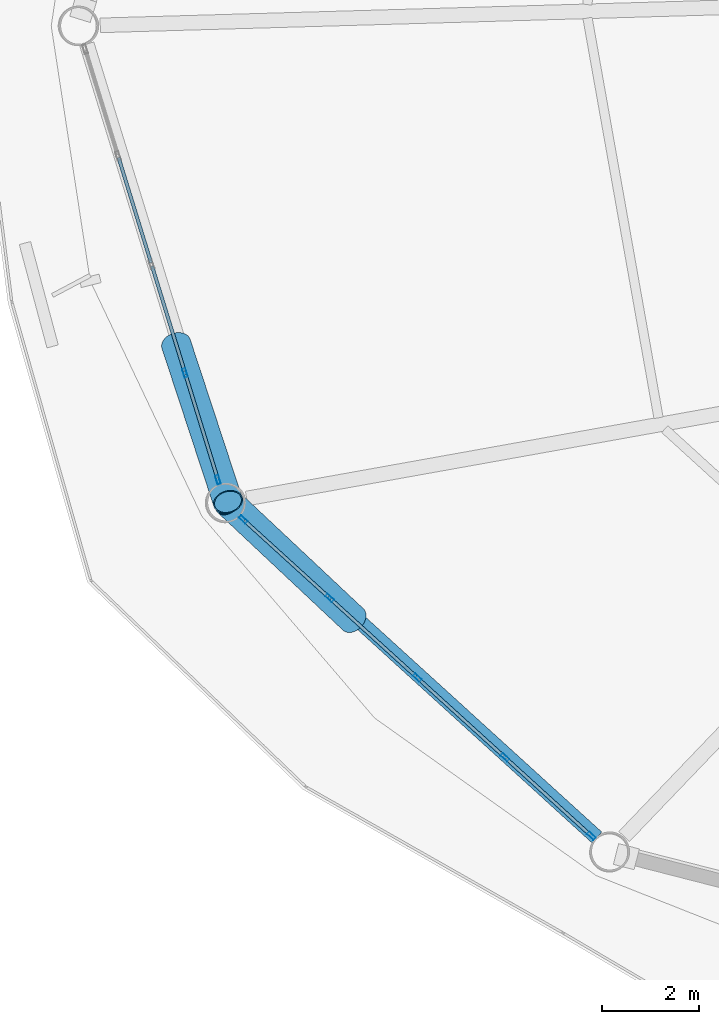
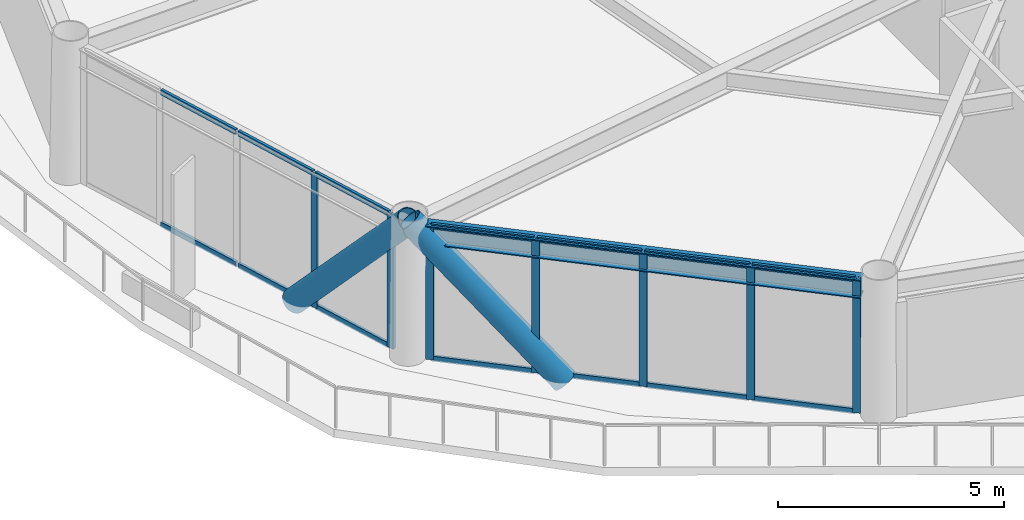
# One storey, part 2 of 26: 23 members, 1 beam, 2 elements without a shape of their own.
"""IFC4 building model written with IfcOpenShell, lengths in metres."""

import ifcopenshell
import ifcopenshell.guid

model = None  # the IFC model being written
_history = None  # IfcOwnerHistory: only IFC2X3 demands one
_inside = {}  # id of a spatial element -> (the spatial element, [elements in it])
_under = {}  # id of a project, library or spatial element -> (it, [spatial elements below it])
_declared = {}  # id of a project -> (the project, [libraries it declares])
_typed = {}  # id of a type object -> (the type object, [elements of that type])
_made_of = {}  # id of a material, layer set ... -> (it, [elements and type objects made of it])


def new_model(schema):
    """Start an empty IFC model of exactly this schema.

    Asked for "IFC4X3", IfcOpenShell would pick the latest addendum, in which some entities
    have other attributes; the version numbers below select the first issue.
    IFC2X3 requires an IfcOwnerHistory on every rooted entity: one is made here for all.
    """
    global model, _history
    if schema == "IFC4X3":
        model = ifcopenshell.file(schema_version=(4, 3, 0, 0))
    else:
        model = ifcopenshell.file(schema=schema)
    _inside.clear()
    _under.clear()
    _declared.clear()
    _typed.clear()
    _made_of.clear()
    _history = None
    if model.schema == "IFC2X3":
        org = make("IfcOrganization", Name="unknown")
        user = make(
            "IfcPersonAndOrganization",
            ThePerson=make("IfcPerson", FamilyName="unknown"),
            TheOrganization=org,
        )
        app = make(
            "IfcApplication",
            ApplicationDeveloper=org,
            Version="unknown",
            ApplicationFullName="unknown",
            ApplicationIdentifier="unknown",
        )
        _history = make(
            "IfcOwnerHistory",
            OwningUser=user,
            OwningApplication=app,
            ChangeAction="ADDED",
            CreationDate=0,
        )
    return model


def make(cls, **values):
    """One entity of the class cls with the attributes given. An attribute that is None is left unset."""
    return model.create_entity(
        cls, **{name: value for name, value in values.items() if value is not None}
    )


def rooted(cls, **values):
    """An entity with a GlobalId (a new one), such as an element, a storey or a relation."""
    return make(cls, GlobalId=ifcopenshell.guid.new(), OwnerHistory=_history, **values)


def si_unit(unit_type, name, prefix=None):
    """IfcSIUnit, for example si_unit("LENGTHUNIT", "METRE", prefix="MILLI")."""
    return make("IfcSIUnit", UnitType=unit_type, Prefix=prefix, Name=name)


def assignment(units):
    """IfcUnitAssignment: the units of a project."""
    return None if units is None else make("IfcUnitAssignment", Units=units)


def point(xyz):
    """IfcCartesianPoint."""
    return None if xyz is None else make("IfcCartesianPoint", Coordinates=xyz)


def direction(xyz):
    """IfcDirection."""
    return None if xyz is None else make("IfcDirection", DirectionRatios=xyz)


def frame(location, z_axis=None, x_axis=None):
    """IfcAxis2Placement3D, a coordinate frame: its origin and axes. An axis left out is left unset."""
    return make(
        "IfcAxis2Placement3D",
        Location=point(location),
        Axis=direction(z_axis),
        RefDirection=direction(x_axis),
    )


def frame_2d(location, x_axis=None):
    """IfcAxis2Placement2D, a coordinate frame in the plane: its origin and x axis."""
    return make(
        "IfcAxis2Placement2D", Location=point(location), RefDirection=direction(x_axis)
    )


def origin():
    """The frame at (0, 0, 0) with its axes left unset."""
    return frame((0.0, 0.0, 0.0))


def origin_2d():
    """The frame at (0, 0) in the plane with its x axis left unset."""
    return frame_2d((0.0, 0.0))


def place(relative_to, where):
    """IfcLocalPlacement: puts the frame where relative to a parent placement (None: the world)."""
    return make(
        "IfcLocalPlacement", PlacementRelTo=relative_to, RelativePlacement=where
    )


def context(
    kind, dimensions, precision=None, world=None, true_north=None, identifier=None
):
    """IfcGeometricRepresentationContext, for example the 3D "Model" context."""
    return make(
        "IfcGeometricRepresentationContext",
        ContextIdentifier=identifier,
        ContextType=kind,
        CoordinateSpaceDimension=dimensions,
        Precision=precision,
        WorldCoordinateSystem=world,
        TrueNorth=true_north,
    )


def subcontext(parent, identifier, kind, view, scale=None):
    """IfcGeometricRepresentationSubContext, for example "Body" below "Model"."""
    return make(
        "IfcGeometricRepresentationSubContext",
        ContextIdentifier=identifier,
        ContextType=kind,
        ParentContext=parent,
        TargetScale=scale,
        TargetView=view,
    )


def project(units=None, contexts=None):
    """IfcProject with its units and contexts."""
    return rooted(
        "IfcProject",
        Name="project",
        RepresentationContexts=contexts,
        UnitsInContext=assignment(units),
    )


def spatial(cls, under=None, at=None, **own):
    """A site, building, storey or space (cls), placed at a placement, below another one or the project."""
    s = rooted(cls, ObjectPlacement=at, **own)
    if under is not None:
        _under.setdefault(under.id(), (under, []))[1].append(s)
    return s


def profile(cls, at=None, kind="AREA", **sizes):
    """A parametric profile (cls). Its sizes go by their IFC names, for example OverallWidth=200.0."""
    return make(cls, ProfileType=kind, Position=at, **sizes)


def hollow_rectangle(**sizes):
    """IfcRectangleHollowProfileDef."""
    return profile("IfcRectangleHollowProfileDef", **sizes)


def hollow_circle(**sizes):
    """IfcCircleHollowProfileDef."""
    return profile("IfcCircleHollowProfileDef", **sizes)


def i_section(**sizes):
    """IfcIShapeProfileDef."""
    return profile("IfcIShapeProfileDef", **sizes)


def extrude(swept, where, along, depth):
    """IfcExtrudedAreaSolid: the profile swept, set in the frame where, extruded along a direction by depth."""
    return make(
        "IfcExtrudedAreaSolid",
        SweptArea=swept,
        Position=where,
        ExtrudedDirection=direction(along),
        Depth=depth,
    )


def shape(context_of_items, identifier, shape_type, items):
    """IfcShapeRepresentation: the items that make up one representation, for example the "Body"."""
    return make(
        "IfcShapeRepresentation",
        ContextOfItems=context_of_items,
        RepresentationIdentifier=identifier,
        RepresentationType=shape_type,
        Items=items,
    )


def material(Name=None, Category=None):
    """IfcMaterial."""
    return make("IfcMaterial", Name=Name, Category=Category)


def layer(
    of_material, thickness, ventilated=None, Name=None, Category=None, Priority=None
):
    """IfcMaterialLayer: one layer of a wall or slab, of a material (None: an air gap)."""
    return make(
        "IfcMaterialLayer",
        Material=of_material,
        LayerThickness=thickness,
        IsVentilated=ventilated,
        Name=Name,
        Category=Category,
        Priority=Priority,
    )


def layer_set(layers, Name=None):
    """IfcMaterialLayerSet."""
    return make("IfcMaterialLayerSet", MaterialLayers=layers, LayerSetName=Name)


def material_profile(
    of_material, cross_section, Name=None, Category=None, Priority=None
):
    """IfcMaterialProfile: a cross section and its material."""
    return make(
        "IfcMaterialProfile",
        Name=Name,
        Material=of_material,
        Profile=cross_section,
        Priority=Priority,
        Category=Category,
    )


def profile_set(profiles, Name=None, composite=None):
    """IfcMaterialProfileSet."""
    return make(
        "IfcMaterialProfileSet",
        Name=Name,
        MaterialProfiles=profiles,
        CompositeProfile=composite,
    )


def made_of(thing, what):
    """Note that an element or type object is made of a material, layer set ...; save() writes the relation."""
    if what is not None:
        _made_of.setdefault(what.id(), (what, []))[1].append(thing)
    return thing


def type_object(cls, material=None, **own):
    """A type object (cls), such as IfcWallType, which elements share."""
    return made_of(rooted(cls, **own), material)


def element(
    cls,
    number,
    at=None,
    inside=None,
    cuts=None,
    type_object=None,
    material=None,
    context=None,
    identifier="Body",
    shape_type=None,
    held_by="IfcProductDefinitionShape",
    body=None,
    shapes=None,
    **own,
):
    """One element of the class cls, such as IfcWall. Its Tag is "e" and its number.

    at: its placement. inside: the storey or other place that contains it. cuts: it is an
    opening in that element (IfcRelVoidsElement). A single representation is given by context,
    identifier, shape_type and body (its items); several are given by shapes. held_by: the class
    of the entity that holds the representations. save() writes the other relations.
    """
    e = rooted(cls, Tag="e%d" % number, ObjectPlacement=at, **own)
    if body is not None:
        shapes = [shape(context, identifier, shape_type, body)]
    if shapes is not None:
        e.Representation = make(held_by, Representations=shapes)
    if inside is not None:
        _inside.setdefault(inside.id(), (inside, []))[1].append(e)
    if cuts is not None:
        rooted(
            "IfcRelVoidsElement", RelatingBuildingElement=cuts, RelatedOpeningElement=e
        )
    if type_object is not None:
        _typed.setdefault(type_object.id(), (type_object, []))[1].append(e)
    return made_of(e, material)


def aggregate(whole, parts):
    """IfcRelAggregates: a whole, such as a stair, and the parts it consists of."""
    return rooted("IfcRelAggregates", RelatingObject=whole, RelatedObjects=parts)


def save(model, path):
    """Write the relations noted so far, then the file.

    IfcRelAggregates (storeys below a building ...), IfcRelContainedInSpatialStructure (elements
    in a storey), IfcRelDefinesByType, IfcRelAssociatesMaterial and IfcRelDeclares: one each for
    every whole, place, type object, material and project.
    """
    for whole, parts in _under.values():
        aggregate(whole, parts)
    for where, things in _inside.values():
        rooted(
            "IfcRelContainedInSpatialStructure",
            RelatedElements=things,
            RelatingStructure=where,
        )
    for kind, things in _typed.values():
        rooted("IfcRelDefinesByType", RelatedObjects=things, RelatingType=kind)
    for what, things in _made_of.values():
        rooted("IfcRelAssociatesMaterial", RelatedObjects=things, RelatingMaterial=what)
    for by, libraries in _declared.values():
        rooted("IfcRelDeclares", RelatingContext=by, RelatedDefinitions=libraries)
    model.write(path)


model = new_model("IFC4")

# Units and contexts
model_context = context("Model", 3, precision=1e-05, world=origin(), true_north=direction((0.0, 1.0)))
body_context = subcontext(model_context, "Body", "Model", "MODEL_VIEW")
ifc_project = project(units=[si_unit("LENGTHUNIT", "METRE"), si_unit("AREAUNIT", "SQUARE_METRE"), si_unit("VOLUMEUNIT", "CUBIC_METRE"), si_unit("PLANEANGLEUNIT", "RADIAN"), si_unit("MASSUNIT", "GRAM", prefix="KILO")], contexts=[model_context])

# Site, building, storey
site_placement = place(None, origin())
site = spatial("IfcSite", under=ifc_project, at=site_placement, CompositionType="ELEMENT")
building_placement = place(site_placement, origin())
building = spatial("IfcBuilding", under=site, at=building_placement, Name="Varnakorn Sky Granary", CompositionType="ELEMENT")
storey_placement = place(building_placement, frame((0.0, 0.0, 95.39990234375)))
storey = spatial("IfcBuildingStorey", under=building, at=storey_placement, Name="L23", CompositionType="ELEMENT", Elevation=95.39990234375)

# Beam
ifc_material_1 = material(Name="Steel S355JR", Category="steel")
ifc_material_profile_1 = material_profile(ifc_material_1, i_section(OverallWidth=0.300048828125, OverallDepth=0.5, WebThickness=0.014404296875, FlangeThickness=0.028076171875, at=origin_2d()), Name="HE 500 B")
ifc_profile_set_1 = profile_set([ifc_material_profile_1], Name="Steel S355JR")
beam_type = type_object("IfcBeamType", Name="BM-SPD-Z2", PredefinedType="SPANDREL", material=ifc_profile_set_1)
beam_placement = place(storey_placement, frame((-19.843017578125, -10.04931640625, 3.39013671875), z_axis=(0.739721624691, -0.67291300921, 0.0), x_axis=(0.67291300921, 0.739721624691, 0.0)))
element("IfcBeam", 1, at=beam_placement, inside=storey, type_object=beam_type, Name="Perimeter Spandrel Ring Beam RB08 L23", PredefinedType="SPANDREL", context=body_context, shape_type="SweptSolid", body=[
    extrude(i_section(OverallWidth=0.300048828125, OverallDepth=0.5, WebThickness=0.014404296875, FlangeThickness=0.028076171875, at=origin_2d()), origin(), (0.0, 0.0, 1.0), 9.863037109375),
])

# Curtain wall, members
ifc_material_2 = material(Name="Anodised Bronze Aluminium Alloy 6063-T6", Category="aluminium")
ifc_layer = layer(ifc_material_2, 0.18994140625, Name="Anodised Bronze Aluminium Alloy 6063-T6")
ifc_layer_set = layer_set([ifc_layer], Name="Anodised Bronze Aluminium Alloy 6063-T6")
curtain_wall_type = type_object("IfcCurtainWallType", Name="CW-FRM-1", PredefinedType="USERDEFINED", material=ifc_layer_set)
curtain_wall_1_placement = place(storey_placement, origin())
curtain_wall_1 = element("IfcCurtainWall", 2, at=curtain_wall_1_placement, inside=storey, type_object=curtain_wall_type, Name="Unitised Curtain Wall CW3 CW-L23-B07", ObjectType="CURTAIN WALL", PredefinedType="USERDEFINED")
ifc_material_profile_2 = material_profile(ifc_material_2, hollow_rectangle(XDim=0.070068359375, YDim=0.18505859375, WallThickness=0.00390625, at=origin_2d()), Name="ALU MULL 70x185")
ifc_profile_set_2 = profile_set([ifc_material_profile_2], Name="Anodised Bronze Aluminium Alloy 6063-T6")
member_type_1 = type_object("IfcMemberType", Name="CW-FRM-1-MULL", PredefinedType="MULLION", material=ifc_profile_set_2)
member_1_placement = place(storey_placement, frame((-20.33837890625, -9.330810546875, 0.0), z_axis=(0.0, 0.0, 1.0), x_axis=(-0.955559588917, -0.294798019037, 0.0)))
member_1 = element("IfcMember", 3, at=member_1_placement, type_object=member_type_1, Name="CW3 mullion 1", PredefinedType="MULLION", context=body_context, shape_type="SweptSolid", body=[
    extrude(hollow_rectangle(XDim=0.070068359375, YDim=0.18505859375, WallThickness=0.00390625, at=origin_2d()), origin(), (0.0, 0.0, 1.0), 3.64013671875),
])
member_2_placement = place(storey_placement, frame((-21.015869140625, -7.134521484375, 0.0), z_axis=(0.0, 0.0, 1.0), x_axis=(-0.955559588917, -0.294798019037, 0.0)))
member_2 = element("IfcMember", 4, at=member_2_placement, type_object=member_type_1, Name="CW3 mullion 2", PredefinedType="MULLION", context=body_context, shape_type="SweptSolid", body=[
    extrude(hollow_rectangle(XDim=0.070068359375, YDim=0.18505859375, WallThickness=0.00390625, at=origin_2d()), origin(), (0.0, 0.0, 1.0), 3.64013671875),
])

curtain_wall_2_placement = place(storey_placement, origin())
curtain_wall_2 = element("IfcCurtainWall", 5, at=curtain_wall_2_placement, inside=storey, type_object=curtain_wall_type, Name="Unitised Curtain Wall CW3 CW-L23-B08", ObjectType="CURTAIN WALL", PredefinedType="USERDEFINED")
member_3_placement = place(storey_placement, frame((-12.662109375, -16.654052734375, 0.0), z_axis=(0.0, 0.0, 1.0), x_axis=(-0.67267177226, -0.739941002246, 0.0)))
member_3 = element("IfcMember", 6, at=member_3_placement, type_object=member_type_1, Name="CW3 mullion 1", PredefinedType="MULLION", context=body_context, shape_type="SweptSolid", body=[
    extrude(hollow_rectangle(XDim=0.070068359375, YDim=0.18505859375, WallThickness=0.00390625, at=origin_2d()), origin(), (0.0, 0.0, 1.0), 3.64013671875),
])
member_4_placement = place(storey_placement, frame((-14.4384765625, -15.0390625, 0.0), z_axis=(0.0, 0.0, 1.0), x_axis=(-0.67267177226, -0.739941002246, 0.0)))
member_4 = element("IfcMember", 7, at=member_4_placement, type_object=member_type_1, Name="CW3 mullion 2", PredefinedType="MULLION", context=body_context, shape_type="SweptSolid", body=[
    extrude(hollow_rectangle(XDim=0.070068359375, YDim=0.18505859375, WallThickness=0.00390625, at=origin_2d()), origin(), (0.0, 0.0, 1.0), 3.64013671875),
])
member_5_placement = place(storey_placement, frame((-16.24072265625, -13.400634765625, 0.0), z_axis=(0.0, 0.0, 1.0), x_axis=(-0.67267177226, -0.739941002246, 0.0)))
member_5 = element("IfcMember", 8, at=member_5_placement, type_object=member_type_1, Name="CW3 mullion 3", PredefinedType="MULLION", context=body_context, shape_type="SweptSolid", body=[
    extrude(hollow_rectangle(XDim=0.070068359375, YDim=0.18505859375, WallThickness=0.00390625, at=origin_2d()), origin(), (0.0, 0.0, 1.0), 3.64013671875),
])
member_6_placement = place(storey_placement, frame((-18.043212890625, -11.76220703125, 0.0), z_axis=(0.0, 0.0, 1.0), x_axis=(-0.67267177226, -0.739941002246, 0.0)))
member_6 = element("IfcMember", 9, at=member_6_placement, type_object=member_type_1, Name="CW3 mullion 4", PredefinedType="MULLION", context=body_context, shape_type="SweptSolid", body=[
    extrude(hollow_rectangle(XDim=0.070068359375, YDim=0.18505859375, WallThickness=0.00390625, at=origin_2d()), origin(), (0.0, 0.0, 1.0), 3.64013671875),
])
member_7_placement = place(storey_placement, frame((-19.819580078125, -10.1474609375, 0.0), z_axis=(0.0, 0.0, 1.0), x_axis=(-0.67267177226, -0.739941002246, 0.0)))
member_7 = element("IfcMember", 10, at=member_7_placement, type_object=member_type_1, Name="CW3 mullion 5", PredefinedType="MULLION", context=body_context, shape_type="SweptSolid", body=[
    extrude(hollow_rectangle(XDim=0.070068359375, YDim=0.18505859375, WallThickness=0.00390625, at=origin_2d()), origin(), (0.0, 0.0, 1.0), 3.64013671875),
])

# Member
ifc_material_profile_3 = material_profile(ifc_material_2, hollow_rectangle(XDim=0.070068359375, YDim=0.139892578125, WallThickness=0.00341796875, at=origin_2d()), Name="ALU TRAN 70x140")
ifc_profile_set_3 = profile_set([ifc_material_profile_3], Name="Anodised Bronze Aluminium Alloy 6063-T6")
member_type_2 = type_object("IfcMemberType", Name="CW-FRM-1-TRAN", PredefinedType="USERDEFINED", material=ifc_profile_set_3)
member_8_placement = place(storey_placement, frame((-20.3486328125, -9.29736328125, 0.03515625), z_axis=(-0.294817127855, 0.95555369348, 0.0), x_axis=(-0.95555369348, -0.294817127855, 0.0)))
member_8 = element("IfcMember", 11, at=member_8_placement, type_object=member_type_2, Name="CW3 transom 1.1", ObjectType="TRANSOM", PredefinedType="USERDEFINED", context=body_context, shape_type="SweptSolid", body=[
    extrude(hollow_rectangle(XDim=0.070068359375, YDim=0.139892578125, WallThickness=0.00341796875, at=origin_2d()), origin(), (0.0, 0.0, 1.0), 2.228515625),
])

member_9_placement = place(storey_placement, frame((-20.3486328125, -9.29736328125, 3.60498046875), z_axis=(-0.294817127855, 0.95555369348, 0.0), x_axis=(-0.95555369348, -0.294817127855, 0.0)))
member_9 = element("IfcMember", 12, at=member_9_placement, type_object=member_type_2, Name="CW3 transom 1.2", ObjectType="TRANSOM", PredefinedType="USERDEFINED", context=body_context, shape_type="SweptSolid", body=[
    extrude(hollow_rectangle(XDim=0.070068359375, YDim=0.139892578125, WallThickness=0.00341796875, at=origin_2d()), origin(), (0.0, 0.0, 1.0), 2.228515625),
])

member_10_placement = place(storey_placement, frame((-21.0263671875, -7.10107421875, 0.03515625), z_axis=(-0.29482105785, 0.955552480949, 0.0), x_axis=(-0.955552480949, -0.29482105785, 0.0)))
member_10 = element("IfcMember", 13, at=member_10_placement, type_object=member_type_2, Name="CW3 transom 2.1", ObjectType="TRANSOM", PredefinedType="USERDEFINED", context=body_context, shape_type="SweptSolid", body=[
    extrude(hollow_rectangle(XDim=0.070068359375, YDim=0.139892578125, WallThickness=0.00341796875, at=origin_2d()), origin(), (0.0, 0.0, 1.0), 2.26318359375),
])

member_11_placement = place(storey_placement, frame((-21.0263671875, -7.10107421875, 3.60498046875), z_axis=(-0.29482105785, 0.955552480949, 0.0), x_axis=(-0.955552480949, -0.29482105785, 0.0)))
member_11 = element("IfcMember", 14, at=member_11_placement, type_object=member_type_2, Name="CW3 transom 2.2", ObjectType="TRANSOM", PredefinedType="USERDEFINED", context=body_context, shape_type="SweptSolid", body=[
    extrude(hollow_rectangle(XDim=0.070068359375, YDim=0.139892578125, WallThickness=0.00341796875, at=origin_2d()), origin(), (0.0, 0.0, 1.0), 2.26318359375),
])

member_12_placement = place(storey_placement, frame((-21.714111328125, -4.87158203125, 0.03515625), z_axis=(-0.294790670748, 0.955561855894, 0.0), x_axis=(-0.955561855894, -0.294790670748, 0.0)))
member_12 = element("IfcMember", 15, at=member_12_placement, type_object=member_type_2, Name="CW3 transom 3.1", ObjectType="TRANSOM", PredefinedType="USERDEFINED", context=body_context, shape_type="SweptSolid", body=[
    extrude(hollow_rectangle(XDim=0.070068359375, YDim=0.139892578125, WallThickness=0.00341796875, at=origin_2d()), origin(), (0.0, 0.0, 1.0), 2.263427734375),
])

member_13_placement = place(storey_placement, frame((-21.714111328125, -4.87158203125, 3.60498046875), z_axis=(-0.294790670748, 0.955561855894, 0.0), x_axis=(-0.955561855894, -0.294790670748, 0.0)))
member_13 = element("IfcMember", 16, at=member_13_placement, type_object=member_type_2, Name="CW3 transom 3.2", ObjectType="TRANSOM", PredefinedType="USERDEFINED", context=body_context, shape_type="SweptSolid", body=[
    extrude(hollow_rectangle(XDim=0.070068359375, YDim=0.139892578125, WallThickness=0.00341796875, at=origin_2d()), origin(), (0.0, 0.0, 1.0), 2.263427734375),
])

aggregate(curtain_wall_1, [member_1, member_2, member_8, member_9, member_10, member_11, member_12, member_13])

member_14_placement = place(storey_placement, frame((-12.68798828125, -16.630615234375, 0.03515625), z_axis=(-0.739930593984, 0.672683221201, 0.0), x_axis=(-0.672683221201, -0.739930593984, 0.0)))
member_14 = element("IfcMember", 17, at=member_14_placement, type_object=member_type_2, Name="CW3 transom 1.1", ObjectType="TRANSOM", PredefinedType="USERDEFINED", context=body_context, shape_type="SweptSolid", body=[
    extrude(hollow_rectangle(XDim=0.070068359375, YDim=0.139892578125, WallThickness=0.00341796875, at=origin_2d()), origin(), (0.0, 0.0, 1.0), 2.330810546875),
])

member_15_placement = place(storey_placement, frame((-12.68798828125, -16.630615234375, 3.60498046875), z_axis=(-0.739930593984, 0.672683221201, 0.0), x_axis=(-0.672683221201, -0.739930593984, 0.0)))
member_15 = element("IfcMember", 18, at=member_15_placement, type_object=member_type_2, Name="CW3 transom 1.2", ObjectType="TRANSOM", PredefinedType="USERDEFINED", context=body_context, shape_type="SweptSolid", body=[
    extrude(hollow_rectangle(XDim=0.070068359375, YDim=0.139892578125, WallThickness=0.00341796875, at=origin_2d()), origin(), (0.0, 0.0, 1.0), 2.330810546875),
])

member_16_placement = place(storey_placement, frame((-14.46435546875, -15.015625, 0.03515625), z_axis=(-0.739949412759, 0.672662520553, 0.0), x_axis=(-0.672662520553, -0.739949412759, 0.0)))
member_16 = element("IfcMember", 19, at=member_16_placement, type_object=member_type_2, Name="CW3 transom 2.1", ObjectType="TRANSOM", PredefinedType="USERDEFINED", context=body_context, shape_type="SweptSolid", body=[
    extrude(hollow_rectangle(XDim=0.070068359375, YDim=0.139892578125, WallThickness=0.00341796875, at=origin_2d()), origin(), (0.0, 0.0, 1.0), 2.36572265625),
])

member_17_placement = place(storey_placement, frame((-14.46435546875, -15.015625, 3.60498046875), z_axis=(-0.739949412759, 0.672662520553, 0.0), x_axis=(-0.672662520553, -0.739949412759, 0.0)))
member_17 = element("IfcMember", 20, at=member_17_placement, type_object=member_type_2, Name="CW3 transom 2.2", ObjectType="TRANSOM", PredefinedType="USERDEFINED", context=body_context, shape_type="SweptSolid", body=[
    extrude(hollow_rectangle(XDim=0.070068359375, YDim=0.139892578125, WallThickness=0.00341796875, at=origin_2d()), origin(), (0.0, 0.0, 1.0), 2.36572265625),
])

member_18_placement = place(storey_placement, frame((-16.2666015625, -13.377197265625, 0.03515625), z_axis=(-0.739949412759, 0.672662520553, 0.0), x_axis=(-0.672662520553, -0.739949412759, 0.0)))
member_18 = element("IfcMember", 21, at=member_18_placement, type_object=member_type_2, Name="CW3 transom 3.1", ObjectType="TRANSOM", PredefinedType="USERDEFINED", context=body_context, shape_type="SweptSolid", body=[
    extrude(hollow_rectangle(XDim=0.070068359375, YDim=0.139892578125, WallThickness=0.00341796875, at=origin_2d()), origin(), (0.0, 0.0, 1.0), 2.36572265625),
])

member_19_placement = place(storey_placement, frame((-16.2666015625, -13.377197265625, 3.60498046875), z_axis=(-0.739949412759, 0.672662520553, 0.0), x_axis=(-0.672662520553, -0.739949412759, 0.0)))
member_19 = element("IfcMember", 22, at=member_19_placement, type_object=member_type_2, Name="CW3 transom 3.2", ObjectType="TRANSOM", PredefinedType="USERDEFINED", context=body_context, shape_type="SweptSolid", body=[
    extrude(hollow_rectangle(XDim=0.070068359375, YDim=0.139892578125, WallThickness=0.00341796875, at=origin_2d()), origin(), (0.0, 0.0, 1.0), 2.36572265625),
])

member_20_placement = place(storey_placement, frame((-18.069091796875, -11.73876953125, 0.03515625), z_axis=(-0.739930593984, 0.672683221201, 0.0), x_axis=(-0.672683221201, -0.739930593984, 0.0)))
member_20 = element("IfcMember", 23, at=member_20_placement, type_object=member_type_2, Name="CW3 transom 4.1", ObjectType="TRANSOM", PredefinedType="USERDEFINED", context=body_context, shape_type="SweptSolid", body=[
    extrude(hollow_rectangle(XDim=0.070068359375, YDim=0.139892578125, WallThickness=0.00341796875, at=origin_2d()), origin(), (0.0, 0.0, 1.0), 2.330810546875),
])

member_21_placement = place(storey_placement, frame((-18.069091796875, -11.73876953125, 3.60498046875), z_axis=(-0.739930593984, 0.672683221201, 0.0), x_axis=(-0.672683221201, -0.739930593984, 0.0)))
member_21 = element("IfcMember", 24, at=member_21_placement, type_object=member_type_2, Name="CW3 transom 4.2", ObjectType="TRANSOM", PredefinedType="USERDEFINED", context=body_context, shape_type="SweptSolid", body=[
    extrude(hollow_rectangle(XDim=0.070068359375, YDim=0.139892578125, WallThickness=0.00341796875, at=origin_2d()), origin(), (0.0, 0.0, 1.0), 2.330810546875),
])

aggregate(curtain_wall_2, [member_3, member_4, member_5, member_6, member_7, member_14, member_15, member_16, member_17, member_18, member_19, member_20, member_21])

# Members
ifc_material_3 = material(Name="Steel S460M", Category="steel")
ifc_material_profile_4 = material_profile(ifc_material_3, hollow_circle(Radius=0.304931640625, WallThickness=0.022216796875, at=origin_2d()), Name="CHS 610x22")
ifc_profile_set_4 = profile_set([ifc_material_profile_4], Name="Steel S460M")
member_type_3 = type_object("IfcMemberType", Name="MB-DIAG-T1", PredefinedType="BRACE", material=ifc_profile_set_4)
member_22_placement = place(storey_placement, frame((-21.199462890625, -6.5400390625, -0.1298828125), z_axis=(0.20969200771, -0.637953144739, 0.740975739832), x_axis=(0.949996930273, 0.31225923921, 0.0)))
element("IfcMember", 25, at=member_22_placement, inside=storey, type_object=member_type_3, Name="Perimeter CHS Diagrid Brace DG07 L23", PredefinedType="BRACE", context=body_context, shape_type="SweptSolid", body=[
    extrude(hollow_circle(Radius=0.304931640625, WallThickness=0.022216796875, at=origin_2d()), origin(), (0.0, 0.0, 1.0), 5.087890625),
])
member_23_placement = place(storey_placement, frame((-17.557373046875, -12.203857421875, -0.1298828125), z_axis=(-0.498454714674, 0.468021946732, 0.729724848691), x_axis=(-0.684501882631, -0.729011092285, 0.0)))
element("IfcMember", 26, at=member_23_placement, inside=storey, type_object=member_type_3, Name="Perimeter CHS Diagrid Brace DG08 L23", PredefinedType="BRACE", context=body_context, shape_type="SweptSolid", body=[
    extrude(hollow_circle(Radius=0.304931640625, WallThickness=0.022216796875, at=origin_2d()), origin(), (0.0, 0.0, 1.0), 5.166259765625),
])

save(model, "model.ifc")
